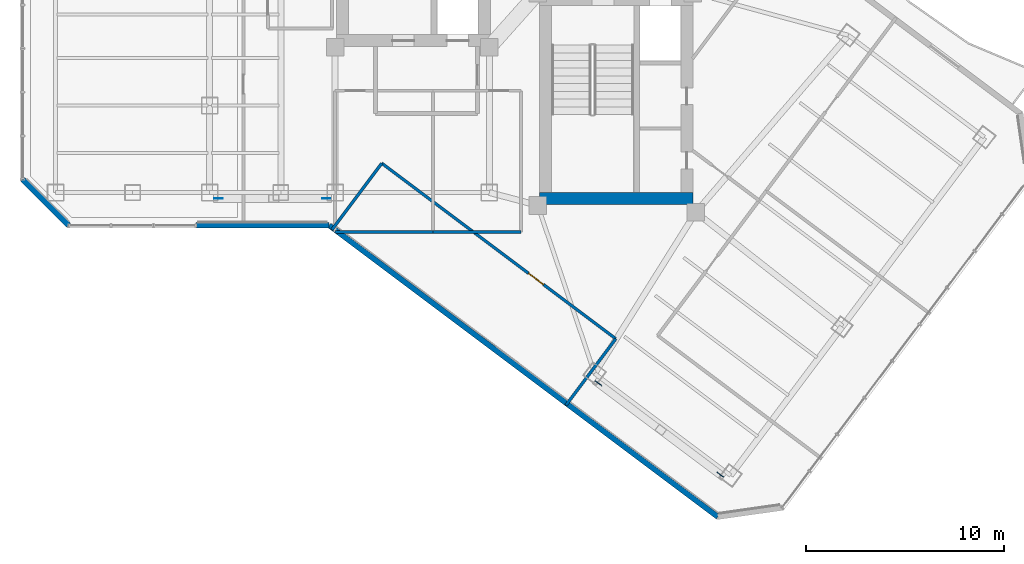
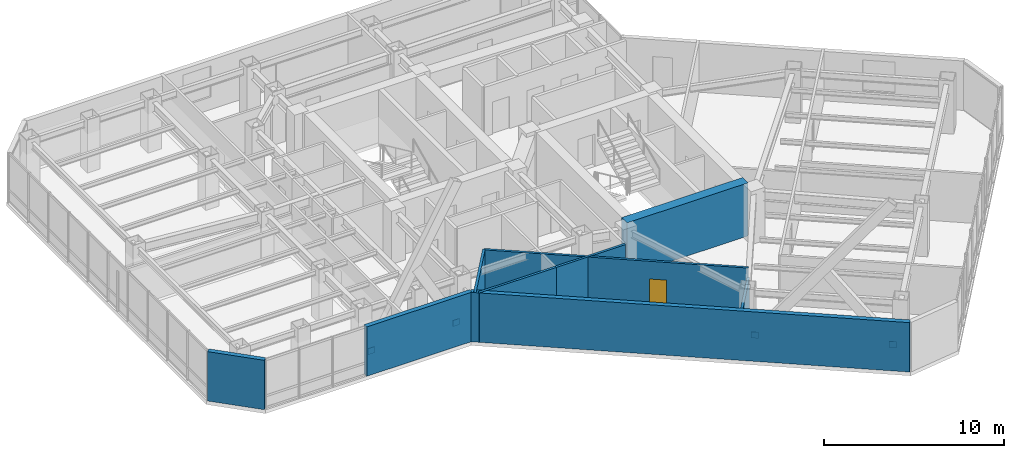
# One storey, part 21 of 27: 9 walls, 4 plates, 1 door, 1 opening.
"""IFC4 building model written with IfcOpenShell, lengths in metres."""

from ifc_helpers import new_model, si_unit, direction, frame, frame_2d, origin, origin_2d, place, context, subcontext, project, spatial, rectangle, extrude, material, layer, layer_set, type_object, element, fill, save


model = new_model("IFC4")

# Units and contexts
model_context = context("Model", 3, precision=1e-05, world=origin(), true_north=direction((0.0, 1.0)))
body_context = subcontext(model_context, "Body", "Model", "MODEL_VIEW")
ifc_project = project(units=[si_unit("LENGTHUNIT", "METRE"), si_unit("AREAUNIT", "SQUARE_METRE"), si_unit("VOLUMEUNIT", "CUBIC_METRE"), si_unit("PLANEANGLEUNIT", "RADIAN"), si_unit("MASSUNIT", "GRAM", prefix="KILO")], contexts=[model_context])

# Site, building, storey
site_placement = place(None, origin())
site = spatial("IfcSite", under=ifc_project, at=site_placement, CompositionType="ELEMENT")
building_placement = place(site_placement, origin())
building = spatial("IfcBuilding", under=site, at=building_placement, Name="Hatsunagi Terrace Concourse", CompositionType="ELEMENT")
storey_placement = place(building_placement, frame((0.0, 0.0, 156.449951171875)))
storey = spatial("IfcBuildingStorey", under=building, at=storey_placement, Name="L41", CompositionType="ELEMENT", Elevation=156.449951171875)

# Plates
ifc_material_1 = material(Name="Steel SN490C", Category="steel")
ifc_layer_1 = layer(ifc_material_1, 0.031982421875)
ifc_layer_set_1 = layer_set([ifc_layer_1], Name="XBraceNodeCapPlate_32")
plate_type = type_object("IfcPlateType", Name="XBraceNodeCapPlate_32", PredefinedType="USERDEFINED", material=ifc_layer_set_1)
for number, where, z_axis, x_axis, name in (
    (1, (19.64990234375, 24.89990234375, 0.22998046875), (0.0, 0.0, 1.0), (1.0, 0.0, 0.0), "Cast-In Core and Node Embed Plate GP-02 EP-XB-L41-W1-AB"),
    (2, (25.10009765625, 24.89990234375, 0.22998046875), (0.0, 0.0, 1.0), (1.0, 0.0, 0.0), "Cast-In Core and Node Embed Plate GP-02 EP-XB-L41-W1-BB"),
    (3, (38.8720703125, 15.5458984375, 0.22998046875), (0.0, 0.0, 1.0), (0.799999996291, -0.600000004945, 0.0), "Cast-In Core and Node Embed Plate GP-02 EP-XB-L41-SE-AB"),
    (4, (45.031982421875, 10.926025390625, 0.22998046875), (0.0, 0.0, 1.0), (0.799999996291, -0.600000004945, 0.0), "Cast-In Core and Node Embed Plate GP-02 EP-XB-L41-SE-BB"),
):
    element("IfcPlate", number, at=place(storey_placement, frame(where, z_axis=z_axis, x_axis=x_axis)), inside=storey, type_object=plate_type, Name=name, ObjectType="GUSSET_PLATE", PredefinedType="USERDEFINED", context=body_context, shape_type="SweptSolid", body=[
        extrude(rectangle(XDim=0.419921875, YDim=0.031982421875, at=origin_2d()), origin(), (0.0, 0.0, 1.0), 0.419921875),
    ])

# Walls
ifc_material_2 = material(Name="Concrete Fc48", Category="concrete")
ifc_layer_2 = layer(ifc_material_2, 0.60009765625)
ifc_layer_set_2 = layer_set([ifc_layer_2], Name="CoreShearWall_Fc48_600")
wall_type_1 = type_object("IfcWallType", Name="CoreShearWall_Fc48_600", PredefinedType="SHEAR", material=ifc_layer_set_2)
wall_1_placement = place(storey_placement, frame((35.889892578125, 24.889892578125, 0.0), z_axis=(0.0, 0.0, 1.0), x_axis=(1.0, 0.0, 0.0)))
element("IfcWall", 5, at=wall_1_placement, inside=storey, type_object=wall_type_1, Name="Core B Shear Wall S L41", PredefinedType="SHEAR", context=body_context, shape_type="SweptSolid", body=[
    extrude(rectangle(XDim=7.760009765625, YDim=0.60009765625, at=frame_2d((3.8798828125, 0.0))), origin(), (0.0, 0.0, 1.0), 3.60009765625),
])
ifc_material_3 = material(Name="Acoustic mineral board", Category="gypsum")
ifc_layer_3 = layer(ifc_material_3, 0.14990234375)
ifc_layer_set_3 = layer_set([ifc_layer_3], Name="PartitionWall_EI60_150")
wall_type_2 = type_object("IfcWallType", Name="PartitionWall_EI60_150", PredefinedType="PARTITIONING", material=ifc_layer_set_3)
wall_2_placement = place(storey_placement, frame((25.550048828125, 23.199951171875, 0.0), z_axis=(0.0, 0.0, 1.0), x_axis=(1.0, 0.0, 0.0)))
element("IfcWall", 6, at=wall_2_placement, inside=storey, type_object=wall_type_2, Name="Interior Partition IW-L41-025", PredefinedType="PARTITIONING", context=body_context, shape_type="SweptSolid", body=[
    extrude(rectangle(XDim=4.949951171875, YDim=0.14990234375, at=frame_2d((2.47509765625, 0.0))), origin(), (0.0, 0.0, 1.0), 3.35009765625),
])
wall_3_placement = place(storey_placement, frame((30.5, 23.199951171875, 0.0), z_axis=(0.0, 0.0, 1.0), x_axis=(1.0, 0.0, 0.0)))
element("IfcWall", 7, at=wall_3_placement, inside=storey, type_object=wall_type_2, Name="Interior Partition IW-L41-029", PredefinedType="PARTITIONING", context=body_context, shape_type="SweptSolid", body=[
    extrude(rectangle(XDim=4.449951171875, YDim=0.14990234375, at=frame_2d((2.22509765625, 0.0))), origin(), (0.0, 0.0, 1.0), 3.35009765625),
])

# Wall, opening, door
wall_4_placement = place(storey_placement, frame((27.909912109375, 26.679931640625, 0.0), z_axis=(0.0, 0.0, 1.0), x_axis=(0.800005938517, -0.599992081896, 0.0)))
wall_4 = element("IfcWall", 8, at=wall_4_placement, inside=storey, type_object=wall_type_2, Name="Interior Partition IW-L41-044", PredefinedType="PARTITIONING", context=body_context, shape_type="SweptSolid", body=[
    extrude(rectangle(XDim=14.800048828125, YDim=0.14990234375, at=frame_2d((7.39990234375, 0.0))), origin(), (0.0, 0.0, 1.0), 3.35009765625),
])
opening_placement = place(wall_4_placement, frame((9.281005859375, 0.0, 0.0)))
opening = element("IfcOpeningElement", 9, at=opening_placement, cuts=wall_4, Name="Opening DR-095", PredefinedType="OPENING", context=body_context, shape_type="SweptSolid", body=[
    extrude(rectangle(XDim=0.949951171875, YDim=2.14990234375, at=frame_2d((0.47509765625, 1.074951171875))), frame((0.0, 0.0849609375, 0.0), z_axis=(0.0, -1.0, 0.0), x_axis=(1.0, 0.0, 0.0)), (0.0, 0.0, 1.0), 0.169921875),
])
ifc_material_4 = material(Name="Hardwood timber", Category="wood")
door_type = type_object("IfcDoorType", Name="InteriorSuiteDoor_EI30_950", OperationType="NOTDEFINED", PredefinedType="DOOR", material=ifc_material_4)
door_placement = place(opening_placement, origin())
door = element("IfcDoor", 10, at=door_placement, inside=storey, type_object=door_type, Name="Research Focus Suite L41-OSWS Door", OperationType="SINGLE_SWING_RIGHT", OverallHeight=2.14990234375, OverallWidth=0.949951171875, PredefinedType="DOOR", context=body_context, shape_type="SweptSolid", body=[
    extrude(rectangle(XDim=0.949951171875, YDim=2.14990234375, at=frame_2d((0.47509765625, 1.074951171875))), frame((0.0, 0.02490234375, 0.0), z_axis=(0.0, -1.0, 0.0), x_axis=(1.0, 0.0, 0.0)), (0.0, 0.0, 1.0), 0.050048828125),
])
fill(opening, door)

# Walls
wall_5_placement = place(storey_placement, frame((25.384033203125, 23.31201171875, 0.0), z_axis=(0.0, 0.0, 1.0), x_axis=(0.599990721155, 0.80000695905, 0.0)))
element("IfcWall", 11, at=wall_5_placement, inside=storey, type_object=wall_type_2, Name="Interior Partition IW-L41-045", PredefinedType="PARTITIONING", context=body_context, shape_type="SweptSolid", body=[
    extrude(rectangle(XDim=4.2099609375, YDim=0.14990234375, at=frame_2d((2.10498046875, 0.0))), origin(), (0.0, 0.0, 1.0), 3.35009765625),
])
wall_6_placement = place(storey_placement, frame((37.22412109375, 14.431884765625, 0.0), z_axis=(0.0, 0.0, 1.0), x_axis=(0.599962885857, 0.800027834262, 0.0)))
element("IfcWall", 12, at=wall_6_placement, inside=storey, type_object=wall_type_2, Name="Interior Partition IW-L41-046", PredefinedType="PARTITIONING", context=body_context, shape_type="SweptSolid", body=[
    extrude(rectangle(XDim=4.2099609375, YDim=0.14990234375, at=frame_2d((2.10498046875, 0.0))), origin(), (0.0, 0.0, 1.0), 2.695068359375),
])
ifc_material_5 = material(Name="Autoclaved Lightweight Concrete and Terracotta Cladding", Category="masonry")
ifc_layer_4 = layer(ifc_material_5, 0.280029296875)
ifc_layer_set_4 = layer_set([ifc_layer_4], Name="TerracottaSpandrelWall_280")
wall_type_3 = type_object("IfcWallType", Name="TerracottaSpandrelWall_280", PredefinedType="STANDARD", material=ifc_layer_set_4)
wall_7_placement = place(storey_placement, frame((44.91796875, 8.787109375, 0.0), z_axis=(0.0, 0.0, 1.0), x_axis=(-0.800004765927, 0.599993645378, 0.0)))
element("IfcWall", 13, at=wall_7_placement, inside=storey, type_object=wall_type_3, Name="Exterior Spandrel Wall EW-L41-05", PredefinedType="STANDARD", context=body_context, shape_type="SweptSolid", body=[
    extrude(rectangle(XDim=24.58837890625, YDim=0.280029296875, at=frame_2d((12.294189453125, 0.0))), origin(), (0.0, 0.0, 1.0), 3.35009765625),
])
wall_8_placement = place(storey_placement, frame((25.2470703125, 23.5400390625, 0.0), z_axis=(0.0, 0.0, 1.0), x_axis=(-1.0, 0.0, 0.0)))
element("IfcWall", 14, at=wall_8_placement, inside=storey, type_object=wall_type_3, Name="Exterior Spandrel Wall EW-L41-06", PredefinedType="STANDARD", context=body_context, shape_type="SweptSolid", body=[
    extrude(rectangle(XDim=6.7470703125, YDim=0.280029296875, at=frame_2d((3.37353515625, 0.0))), origin(), (0.0, 0.0, 1.0), 3.35009765625),
])
wall_9_placement = place(storey_placement, frame((12.05810546875, 23.5400390625, 0.0), z_axis=(0.0, 0.0, 1.0), x_axis=(-0.707144017911, 0.707069542501, 0.0)))
element("IfcWall", 15, at=wall_9_placement, inside=storey, type_object=wall_type_3, Name="Exterior Spandrel Wall EW-L41-08", PredefinedType="STANDARD", context=body_context, shape_type="SweptSolid", body=[
    extrude(rectangle(XDim=3.278076171875, YDim=0.280029296875, at=frame_2d((1.63916015625, 0.0))), origin(), (0.0, 0.0, 1.0), 3.35009765625),
])

save(model, "model.ifc")
